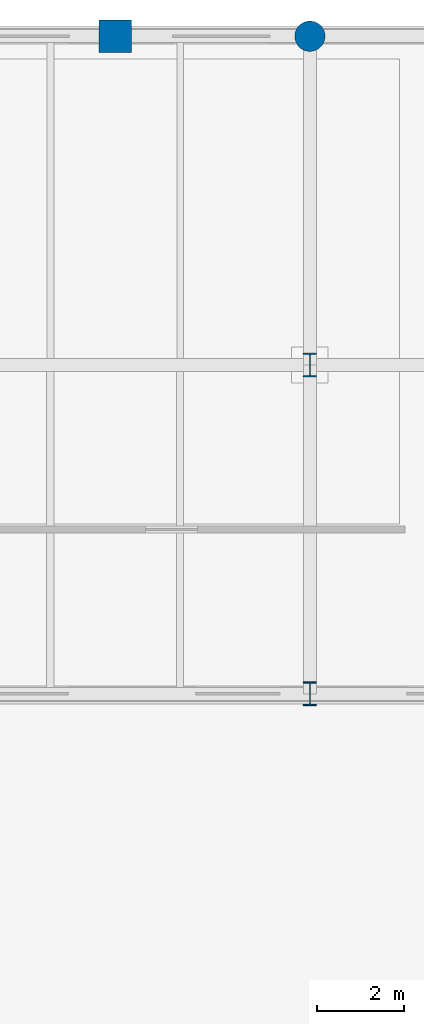
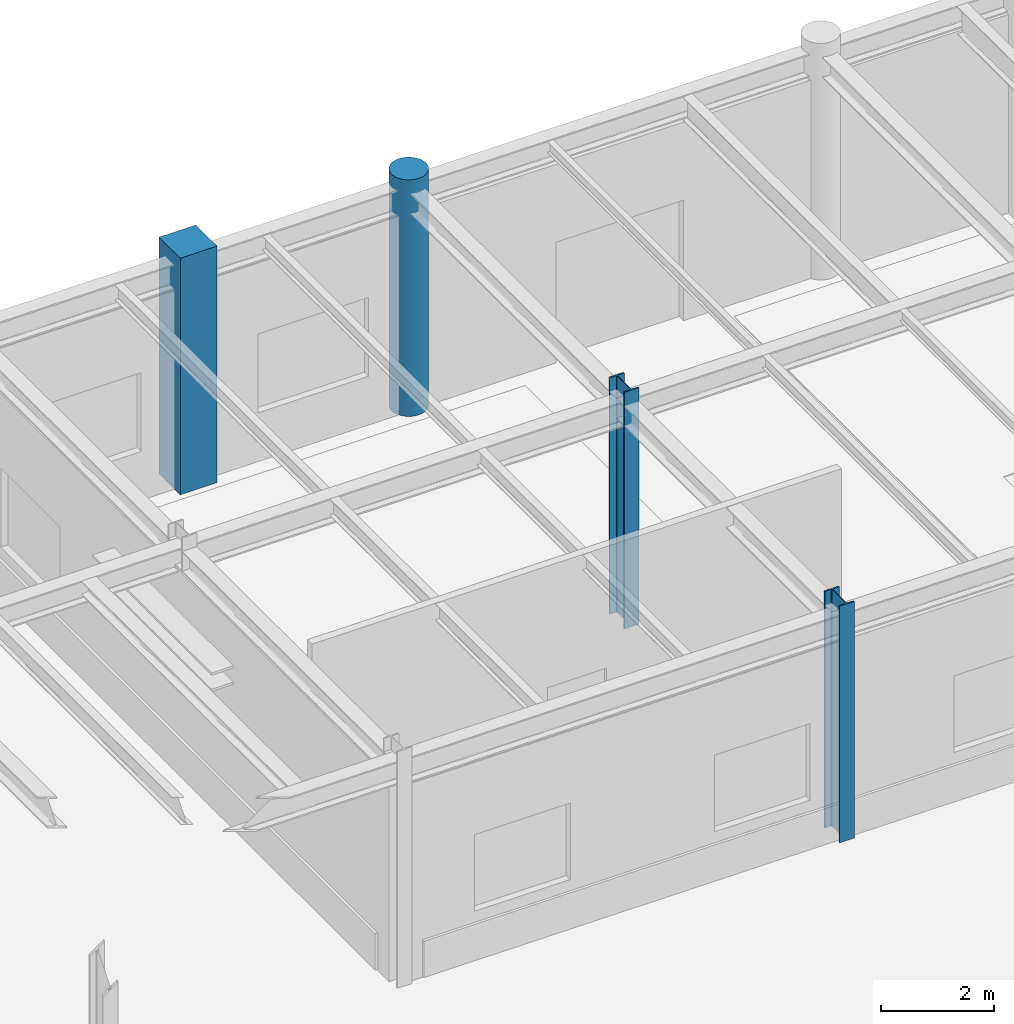
# One storey, part 14 of 64: 4 columns.
"""IFC4 building model written with IfcOpenShell, lengths in metres."""

from ifc_helpers import new_model, si_unit, direction, frame, origin, origin_2d, place, context, subcontext, project, spatial, rectangle, circle, i_section, extrude, material, material_profile, profile_set, type_object, element, save


model = new_model("IFC4")

# Units and contexts
model_context = context("Model", 3, precision=1e-05, world=origin(), true_north=direction((0.0, 1.0)))
body_context = subcontext(model_context, "Body", "Model", "MODEL_VIEW")
ifc_project = project(units=[si_unit("LENGTHUNIT", "METRE"), si_unit("AREAUNIT", "SQUARE_METRE"), si_unit("VOLUMEUNIT", "CUBIC_METRE"), si_unit("PLANEANGLEUNIT", "RADIAN"), si_unit("MASSUNIT", "GRAM", prefix="KILO")], contexts=[model_context])

# Site, building, storey
site_placement = place(None, origin())
site = spatial("IfcSite", under=ifc_project, at=site_placement, CompositionType="ELEMENT")
building_placement = place(site_placement, origin())
building = spatial("IfcBuilding", under=site, at=building_placement, Name="Montealbar Specialist Clinic", CompositionType="ELEMENT")
storey_placement = place(building_placement, origin())
storey = spatial("IfcBuildingStorey", under=building, at=storey_placement, Name="L00", CompositionType="ELEMENT", Elevation=0.0)

# Columns
ifc_material_1 = material(Name="Concrete C35/45", Category="concrete")
ifc_material_profile_1 = material_profile(ifc_material_1, circle(Radius=0.35009765625, at=origin_2d()), Name="RC D700", Category="concrete")
ifc_profile_set_1 = profile_set([ifc_material_profile_1], Name="Concrete C35/45")
column_type_1 = type_object("IfcColumnType", Name="COL-COLONNADE-CYL-EXT", PredefinedType="COLUMN", material=ifc_profile_set_1)
column_1_placement = place(storey_placement, frame((120.0, 111.0, 0.0), z_axis=(0.0, 0.0, 1.0), x_axis=(1.0, 0.0, 0.0)))
element("IfcColumn", 1, at=column_1_placement, inside=storey, type_object=column_type_1, Name="Column 16/P L00", PredefinedType="COLUMN", context=body_context, shape_type="SweptSolid", body=[
    extrude(circle(Radius=0.35009765625, at=origin_2d()), origin(), (0.0, 0.0, 1.0), 5.10009765625),
])
ifc_material_2 = material(Name="Steel S355", Category="steel")
ifc_material_profile_2 = material_profile(ifc_material_2, i_section(OverallWidth=0.300048828125, OverallDepth=0.550048828125, WebThickness=0.014892578125, FlangeThickness=0.029052734375, FilletRadius=0.027099609375, at=origin_2d()), Name="HEB 550", Category="steel")
ifc_profile_set_2 = profile_set([ifc_material_profile_2], Name="Steel S355")
column_type_2 = type_object("IfcColumnType", Name="COL-S-L00-HVY", PredefinedType="COLUMN", material=ifc_profile_set_2)
column_2_placement = place(storey_placement, frame((120.0, 103.39990234375, 0.0), z_axis=(0.0, 0.0, 1.0), x_axis=(1.0, 0.0, 0.0)))
element("IfcColumn", 2, at=column_2_placement, inside=storey, type_object=column_type_2, Name="Column 16/N L00", PredefinedType="COLUMN", context=body_context, shape_type="SweptSolid", body=[
    extrude(i_section(OverallWidth=0.300048828125, OverallDepth=0.550048828125, WebThickness=0.014892578125, FlangeThickness=0.029052734375, FilletRadius=0.027099609375, at=origin_2d()), origin(), (0.0, 0.0, 1.0), 5.10009765625),
])
ifc_material_profile_3 = material_profile(ifc_material_2, i_section(OverallWidth=0.300048828125, OverallDepth=0.550048828125, WebThickness=0.014892578125, FlangeThickness=0.029052734375, FilletRadius=0.027099609375, at=origin_2d()), Name="HEB 550", Category="steel")
ifc_profile_set_3 = profile_set([ifc_material_profile_3], Name="Steel S355")
column_type_3 = type_object("IfcColumnType", Name="COL-S-L00-HVY-EXT", PredefinedType="COLUMN", material=ifc_profile_set_3)
column_3_placement = place(storey_placement, frame((120.0, 95.800048828125, 0.0), z_axis=(0.0, 0.0, 1.0), x_axis=(1.0, 0.0, 0.0)))
element("IfcColumn", 3, at=column_3_placement, inside=storey, type_object=column_type_3, Name="Column 16/M L00", PredefinedType="COLUMN", context=body_context, shape_type="SweptSolid", body=[
    extrude(i_section(OverallWidth=0.300048828125, OverallDepth=0.550048828125, WebThickness=0.014892578125, FlangeThickness=0.029052734375, FilletRadius=0.027099609375, at=origin_2d()), origin(), (0.0, 0.0, 1.0), 5.10009765625),
])
ifc_material_3 = material(Name="Guadarrama granite ashlar", Category="masonry")
ifc_material_profile_4 = material_profile(ifc_material_3, rectangle(XDim=0.75, YDim=0.75, at=origin_2d()), Name="GRANITE PILASTER 750x750", Category="masonry")
ifc_profile_set_4 = profile_set([ifc_material_profile_4], Name="Guadarrama granite ashlar")
column_type_4 = type_object("IfcColumnType", Name="PIL-PM-GIANT-EXT", PredefinedType="PILASTER", material=ifc_profile_set_4)
column_4_placement = place(storey_placement, frame((115.5, 111.0, 0.0), z_axis=(0.0, 0.0, 1.0), x_axis=(1.0, 0.0, 0.0)))
element("IfcColumn", 4, at=column_4_placement, inside=storey, type_object=column_type_4, Name="Column NP10/P L00", PredefinedType="PILASTER", context=body_context, shape_type="SweptSolid", body=[
    extrude(rectangle(XDim=0.75, YDim=0.75, at=origin_2d()), origin(), (0.0, 0.0, 1.0), 5.10009765625),
])

save(model, "model.ifc")
